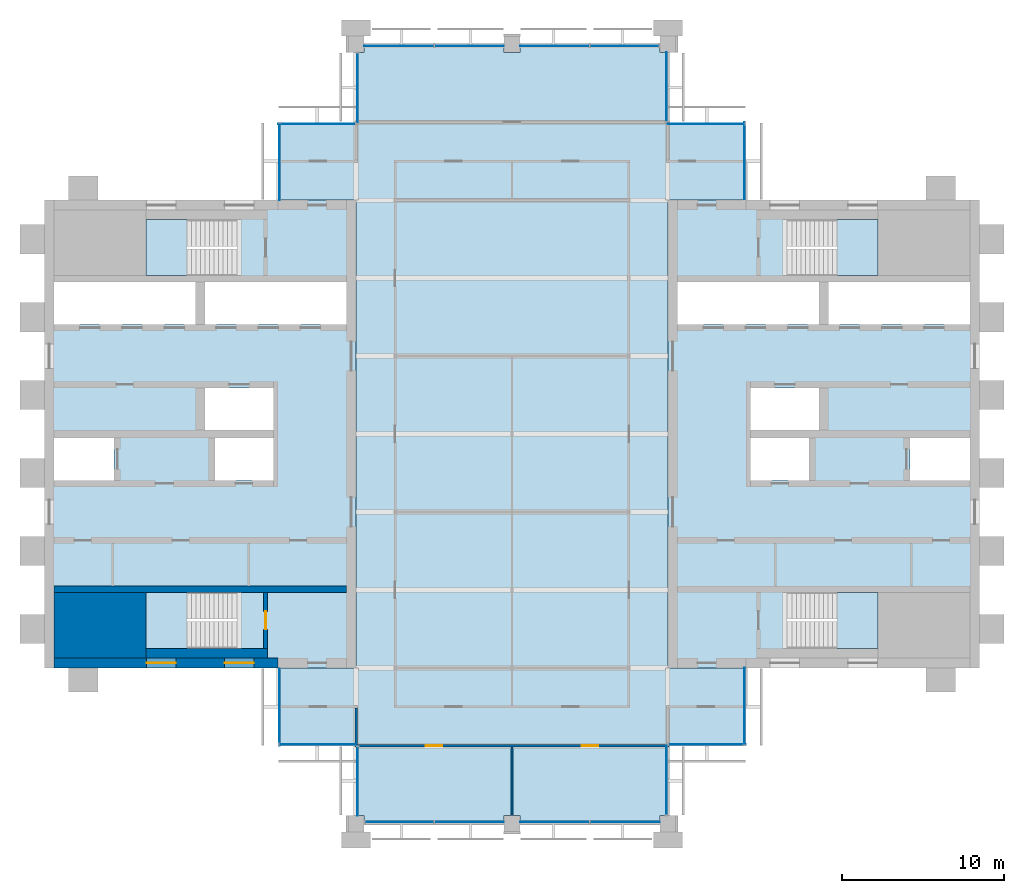
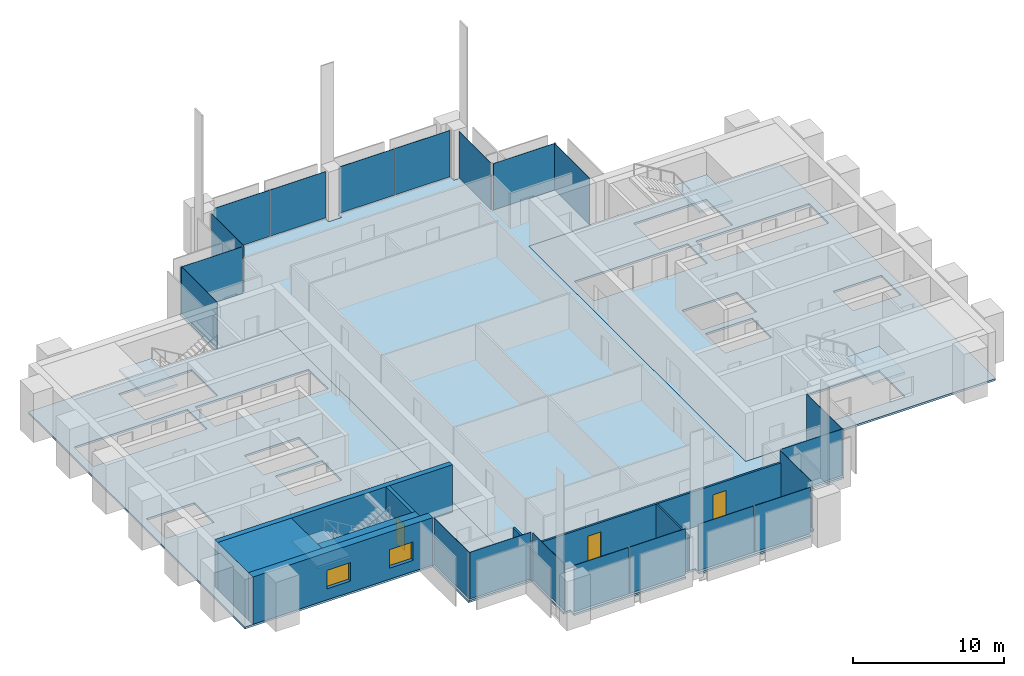
# One storey, part 7 of 13: 20 plates, 8 walls, 7 slabs, 3 doors, 2 windows, 5 openings, 18 elements without a shape of their own.
"""IFC4 building model written with IfcOpenShell, lengths in metres."""

from ifc_helpers import new_model, si_unit, direction, frame, frame_2d, origin, origin_2d, place, context, subcontext, project, spatial, polyline, rectangle, outline, extrude, material, layer, layer_set, type_object, element, fill, aggregate, save


model = new_model("IFC4")

# Units and contexts
model_context = context("Model", 3, precision=1e-05, world=origin(), true_north=direction((0.0, 1.0)))
body_context = subcontext(model_context, "Body", "Model", "MODEL_VIEW")
ifc_project = project(units=[si_unit("LENGTHUNIT", "METRE"), si_unit("AREAUNIT", "SQUARE_METRE"), si_unit("VOLUMEUNIT", "CUBIC_METRE"), si_unit("PLANEANGLEUNIT", "RADIAN"), si_unit("MASSUNIT", "GRAM", prefix="KILO")], contexts=[model_context])

# Site, building, storey
site_placement = place(None, origin())
site = spatial("IfcSite", under=ifc_project, at=site_placement, CompositionType="ELEMENT")
building_placement = place(site_placement, origin())
building = spatial("IfcBuilding", under=site, at=building_placement, Name="Baori Bourse Tower", CompositionType="ELEMENT")
storey_placement = place(building_placement, frame((0.0, 0.0, 294.300048828125)))
storey = spatial("IfcBuildingStorey", under=building, at=storey_placement, Name="L64", CompositionType="ELEMENT", Elevation=294.300048828125)

# Curtain wall, plate
ifc_material_1 = material(Name="Pale anodised aluminium", Category="aluminium")
curtain_wall_type_1 = type_object("IfcCurtainWallType", Name="CW2 Curtain wall", PredefinedType="NOTDEFINED", material=ifc_material_1)
curtain_wall_1_placement = place(storey_placement, origin())
curtain_wall_1 = element("IfcCurtainWall", 1, at=curtain_wall_1_placement, inside=storey, type_object=curtain_wall_type_1, Name="Curtain wall CW2 L64 1", PredefinedType="NOTDEFINED")
ifc_material_2 = material(Name="Clear glass", Category="glass")
ifc_layer_1 = layer(ifc_material_2, 0.030029296875)
ifc_layer_set_1 = layer_set([ifc_layer_1], Name="CW2 Curtain wall panel")
plate_type_1 = type_object("IfcPlateType", Name="CW2 Curtain wall panel", PredefinedType="CURTAIN_PANEL", material=ifc_layer_set_1)
plate_1_placement = place(storey_placement, frame((43.110107421875, 40.827392578125, 0.06982421875), z_axis=(0.0, 0.0, 1.0), x_axis=(0.0, 1.0, 0.0)))
plate_1 = element("IfcPlate", 2, at=plate_1_placement, type_object=plate_type_1, Name="Curtain wall CW2 panel", PredefinedType="CURTAIN_PANEL", context=body_context, shape_type="SweptSolid", body=[
    extrude(rectangle(XDim=4.7451171875, YDim=0.030029296875, at=origin_2d()), origin(), (0.0, 0.0, 1.0), 3.77001953125),
])
aggregate(curtain_wall_1, [plate_1])

curtain_wall_2_placement = place(storey_placement, origin())
curtain_wall_2 = element("IfcCurtainWall", 3, at=curtain_wall_2_placement, inside=storey, type_object=curtain_wall_type_1, Name="Curtain wall CW2 L64 2", PredefinedType="NOTDEFINED")
plate_2_placement = place(storey_placement, frame((40.7724609375, 43.110107421875, 0.06982421875), z_axis=(0.0, 0.0, 1.0), x_axis=(-1.0, 0.0, 0.0)))
plate_2 = element("IfcPlate", 4, at=plate_2_placement, type_object=plate_type_1, Name="Curtain wall CW2 panel", PredefinedType="CURTAIN_PANEL", context=body_context, shape_type="SweptSolid", body=[
    extrude(rectangle(XDim=4.7451171875, YDim=0.030029296875, at=origin_2d()), origin(), (0.0, 0.0, 1.0), 3.77001953125),
])
aggregate(curtain_wall_2, [plate_2])

curtain_wall_3_placement = place(storey_placement, origin())
curtain_wall_3 = element("IfcCurtainWall", 5, at=curtain_wall_3_placement, inside=storey, type_object=curtain_wall_type_1, Name="Curtain wall CW2 L64 3", PredefinedType="NOTDEFINED")
plate_3_placement = place(storey_placement, frame((38.31005859375, 45.37744140625, 0.06982421875), z_axis=(0.0, 0.0, 1.0), x_axis=(0.0, 1.0, 0.0)))
plate_3 = element("IfcPlate", 6, at=plate_3_placement, type_object=plate_type_1, Name="Curtain wall CW2 panel", PredefinedType="CURTAIN_PANEL", context=body_context, shape_type="SweptSolid", body=[
    extrude(rectangle(XDim=4.2451171875, YDim=0.030029296875, at=origin_2d()), origin(), (0.0, 0.0, 1.0), 3.77001953125),
])
aggregate(curtain_wall_3, [plate_3])

curtain_wall_4_placement = place(storey_placement, origin())
curtain_wall_4 = element("IfcCurtainWall", 7, at=curtain_wall_4_placement, inside=storey, type_object=curtain_wall_type_1, Name="Curtain wall CW2 L64 5", PredefinedType="NOTDEFINED")
plate_4_placement = place(storey_placement, frame((19.2900390625, 45.322509765625, 0.06982421875), z_axis=(0.0, 0.0, 1.0), x_axis=(0.0, -1.0, 0.0)))
plate_4 = element("IfcPlate", 8, at=plate_4_placement, type_object=plate_type_1, Name="Curtain wall CW2 panel", PredefinedType="CURTAIN_PANEL", context=body_context, shape_type="SweptSolid", body=[
    extrude(rectangle(XDim=4.2451171875, YDim=0.030029296875, at=origin_2d()), origin(), (0.0, 0.0, 1.0), 3.77001953125),
])
aggregate(curtain_wall_4, [plate_4])

curtain_wall_5_placement = place(storey_placement, origin())
curtain_wall_5 = element("IfcCurtainWall", 9, at=curtain_wall_5_placement, inside=storey, type_object=curtain_wall_type_1, Name="Curtain wall CW2 L64 6", PredefinedType="NOTDEFINED")
plate_5_placement = place(storey_placement, frame((16.7724609375, 43.110107421875, 0.06982421875), z_axis=(0.0, 0.0, 1.0), x_axis=(-1.0, 0.0, 0.0)))
plate_5 = element("IfcPlate", 10, at=plate_5_placement, type_object=plate_type_1, Name="Curtain wall CW2 panel", PredefinedType="CURTAIN_PANEL", context=body_context, shape_type="SweptSolid", body=[
    extrude(rectangle(XDim=4.7451171875, YDim=0.030029296875, at=origin_2d()), origin(), (0.0, 0.0, 1.0), 3.77001953125),
])
aggregate(curtain_wall_5, [plate_5])

curtain_wall_6_placement = place(storey_placement, origin())
curtain_wall_6 = element("IfcCurtainWall", 11, at=curtain_wall_6_placement, inside=storey, type_object=curtain_wall_type_1, Name="Curtain wall CW2 L64 7", PredefinedType="NOTDEFINED")
plate_6_placement = place(storey_placement, frame((14.489990234375, 40.7724609375, 0.06982421875), z_axis=(0.0, 0.0, 1.0), x_axis=(0.0, -1.0, 0.0)))
plate_6 = element("IfcPlate", 12, at=plate_6_placement, type_object=plate_type_1, Name="Curtain wall CW2 panel", PredefinedType="CURTAIN_PANEL", context=body_context, shape_type="SweptSolid", body=[
    extrude(rectangle(XDim=4.7451171875, YDim=0.030029296875, at=origin_2d()), origin(), (0.0, 0.0, 1.0), 3.77001953125),
])
aggregate(curtain_wall_6, [plate_6])

curtain_wall_7_placement = place(storey_placement, origin())
curtain_wall_7 = element("IfcCurtainWall", 13, at=curtain_wall_7_placement, inside=storey, type_object=curtain_wall_type_1, Name="Curtain wall CW2 L64 8", PredefinedType="NOTDEFINED")
plate_7_placement = place(storey_placement, frame((14.489990234375, 7.172607421875, 0.06982421875), z_axis=(0.0, 0.0, 1.0), x_axis=(0.0, -1.0, 0.0)))
plate_7 = element("IfcPlate", 14, at=plate_7_placement, type_object=plate_type_1, Name="Curtain wall CW2 panel", PredefinedType="CURTAIN_PANEL", context=body_context, shape_type="SweptSolid", body=[
    extrude(rectangle(XDim=4.7451171875, YDim=0.030029296875, at=origin_2d()), origin(), (0.0, 0.0, 1.0), 3.77001953125),
])
aggregate(curtain_wall_7, [plate_7])

curtain_wall_8_placement = place(storey_placement, origin())
curtain_wall_8 = element("IfcCurtainWall", 15, at=curtain_wall_8_placement, inside=storey, type_object=curtain_wall_type_1, Name="Curtain wall CW2 L64 9", PredefinedType="NOTDEFINED")
plate_8_placement = place(storey_placement, frame((16.827392578125, 4.889892578125, 0.06982421875), z_axis=(0.0, 0.0, 1.0), x_axis=(1.0, 0.0, 0.0)))
plate_8 = element("IfcPlate", 16, at=plate_8_placement, type_object=plate_type_1, Name="Curtain wall CW2 panel", PredefinedType="CURTAIN_PANEL", context=body_context, shape_type="SweptSolid", body=[
    extrude(rectangle(XDim=4.7451171875, YDim=0.030029296875, at=origin_2d()), origin(), (0.0, 0.0, 1.0), 3.77001953125),
])
aggregate(curtain_wall_8, [plate_8])

curtain_wall_9_placement = place(storey_placement, origin())
curtain_wall_9 = element("IfcCurtainWall", 17, at=curtain_wall_9_placement, inside=storey, type_object=curtain_wall_type_1, Name="Curtain wall CW2 L64 10", PredefinedType="NOTDEFINED")
plate_9_placement = place(storey_placement, frame((19.2900390625, 2.62255859375, 0.06982421875), z_axis=(0.0, 0.0, 1.0), x_axis=(0.0, -1.0, 0.0)))
plate_9 = element("IfcPlate", 18, at=plate_9_placement, type_object=plate_type_1, Name="Curtain wall CW2 panel", PredefinedType="CURTAIN_PANEL", context=body_context, shape_type="SweptSolid", body=[
    extrude(rectangle(XDim=4.2451171875, YDim=0.030029296875, at=origin_2d()), origin(), (0.0, 0.0, 1.0), 3.77001953125),
])
aggregate(curtain_wall_9, [plate_9])

curtain_wall_10_placement = place(storey_placement, origin())
curtain_wall_10 = element("IfcCurtainWall", 19, at=curtain_wall_10_placement, inside=storey, type_object=curtain_wall_type_1, Name="Curtain wall CW2 L64 12", PredefinedType="NOTDEFINED")
plate_10_placement = place(storey_placement, frame((38.31005859375, 2.677490234375, 0.06982421875), z_axis=(0.0, 0.0, 1.0), x_axis=(0.0, 1.0, 0.0)))
plate_10 = element("IfcPlate", 20, at=plate_10_placement, type_object=plate_type_1, Name="Curtain wall CW2 panel", PredefinedType="CURTAIN_PANEL", context=body_context, shape_type="SweptSolid", body=[
    extrude(rectangle(XDim=4.2451171875, YDim=0.030029296875, at=origin_2d()), origin(), (0.0, 0.0, 1.0), 3.77001953125),
])
aggregate(curtain_wall_10, [plate_10])

curtain_wall_11_placement = place(storey_placement, origin())
curtain_wall_11 = element("IfcCurtainWall", 21, at=curtain_wall_11_placement, inside=storey, type_object=curtain_wall_type_1, Name="Curtain wall CW2 L64 13", PredefinedType="NOTDEFINED")
plate_11_placement = place(storey_placement, frame((40.827392578125, 4.889892578125, 0.06982421875), z_axis=(0.0, 0.0, 1.0), x_axis=(1.0, 0.0, 0.0)))
plate_11 = element("IfcPlate", 22, at=plate_11_placement, type_object=plate_type_1, Name="Curtain wall CW2 panel", PredefinedType="CURTAIN_PANEL", context=body_context, shape_type="SweptSolid", body=[
    extrude(rectangle(XDim=4.7451171875, YDim=0.030029296875, at=origin_2d()), origin(), (0.0, 0.0, 1.0), 3.77001953125),
])
aggregate(curtain_wall_11, [plate_11])

curtain_wall_12_placement = place(storey_placement, origin())
curtain_wall_12 = element("IfcCurtainWall", 23, at=curtain_wall_12_placement, inside=storey, type_object=curtain_wall_type_1, Name="Curtain wall CW2 L64 14", PredefinedType="NOTDEFINED")
plate_12_placement = place(storey_placement, frame((43.110107421875, 7.2275390625, 0.06982421875), z_axis=(0.0, 0.0, 1.0), x_axis=(0.0, 1.0, 0.0)))
plate_12 = element("IfcPlate", 24, at=plate_12_placement, type_object=plate_type_1, Name="Curtain wall CW2 panel", PredefinedType="CURTAIN_PANEL", context=body_context, shape_type="SweptSolid", body=[
    extrude(rectangle(XDim=4.7451171875, YDim=0.030029296875, at=origin_2d()), origin(), (0.0, 0.0, 1.0), 3.77001953125),
])
aggregate(curtain_wall_12, [plate_12])

# Curtain wall, plates
ifc_material_3 = material(Name="Pale anodised aluminium", Category="aluminium")
curtain_wall_type_2 = type_object("IfcCurtainWallType", Name="CW5 Curtain wall", PredefinedType="NOTDEFINED", material=ifc_material_3)
curtain_wall_13_placement = place(storey_placement, origin())
curtain_wall_13 = element("IfcCurtainWall", 25, at=curtain_wall_13_placement, inside=storey, type_object=curtain_wall_type_2, Name="Curtain wall CW5 L64 4", PredefinedType="NOTDEFINED")
ifc_material_4 = material(Name="Clear glass", Category="glass")
ifc_layer_2 = layer(ifc_material_4, 0.035888671875)
ifc_layer_set_2 = layer_set([ifc_layer_2], Name="CW5 Curtain wall panel")
plate_type_2 = type_object("IfcPlateType", Name="CW5 Curtain wall panel", PredefinedType="CURTAIN_PANEL", material=ifc_layer_set_2)
plate_13_placement = place(storey_placement, frame((35.733642578125, 47.889892578125, 0.0849609375), z_axis=(0.0, 0.0, 1.0), x_axis=(-1.0, 0.0, 0.0)))
plate_13 = element("IfcPlate", 26, at=plate_13_placement, type_object=plate_type_2, Name="Curtain wall CW5 panel", PredefinedType="CURTAIN_PANEL", context=body_context, shape_type="SweptSolid", body=[
    extrude(rectangle(XDim=4.202392578125, YDim=0.035888671875, at=origin_2d()), origin(), (0.0, 0.0, 1.0), 3.7548828125),
])
plate_14_placement = place(storey_placement, frame((31.433837890625, 47.889892578125, 0.0849609375), z_axis=(0.0, 0.0, 1.0), x_axis=(-1.0, 0.0, 0.0)))
plate_14 = element("IfcPlate", 27, at=plate_14_placement, type_object=plate_type_2, Name="Curtain wall CW5 panel", PredefinedType="CURTAIN_PANEL", context=body_context, shape_type="SweptSolid", body=[
    extrude(rectangle(XDim=4.267578125, YDim=0.035888671875, at=origin_2d()), origin(), (0.0, 0.0, 1.0), 3.7548828125),
])
plate_15_placement = place(storey_placement, frame((26.166259765625, 47.889892578125, 0.0849609375), z_axis=(0.0, 0.0, 1.0), x_axis=(-1.0, 0.0, 0.0)))
plate_15 = element("IfcPlate", 28, at=plate_15_placement, type_object=plate_type_2, Name="Curtain wall CW5 panel", PredefinedType="CURTAIN_PANEL", context=body_context, shape_type="SweptSolid", body=[
    extrude(rectangle(XDim=4.267578125, YDim=0.035888671875, at=origin_2d()), origin(), (0.0, 0.0, 1.0), 3.7548828125),
])
plate_16_placement = place(storey_placement, frame((21.833740234375, 47.889892578125, 0.0849609375), z_axis=(0.0, 0.0, 1.0), x_axis=(-1.0, 0.0, 0.0)))
plate_16 = element("IfcPlate", 29, at=plate_16_placement, type_object=plate_type_2, Name="Curtain wall CW5 panel", PredefinedType="CURTAIN_PANEL", context=body_context, shape_type="SweptSolid", body=[
    extrude(rectangle(XDim=4.267578125, YDim=0.035888671875, at=origin_2d()), origin(), (0.0, 0.0, 1.0), 3.7548828125),
])
aggregate(curtain_wall_13, [plate_13, plate_14, plate_15, plate_16])

curtain_wall_14_placement = place(storey_placement, origin())
curtain_wall_14 = element("IfcCurtainWall", 30, at=curtain_wall_14_placement, inside=storey, type_object=curtain_wall_type_2, Name="Curtain wall CW5 L64 11", PredefinedType="NOTDEFINED")
plate_17_placement = place(storey_placement, frame((21.8662109375, 0.110107421875, 0.0849609375), z_axis=(0.0, 0.0, 1.0), x_axis=(1.0, 0.0, 0.0)))
plate_17 = element("IfcPlate", 31, at=plate_17_placement, type_object=plate_type_2, Name="Curtain wall CW5 panel", PredefinedType="CURTAIN_PANEL", context=body_context, shape_type="SweptSolid", body=[
    extrude(rectangle(XDim=4.202392578125, YDim=0.035888671875, at=origin_2d()), origin(), (0.0, 0.0, 1.0), 3.7548828125),
])
plate_18_placement = place(storey_placement, frame((26.166259765625, 0.110107421875, 0.0849609375), z_axis=(0.0, 0.0, 1.0), x_axis=(1.0, 0.0, 0.0)))
plate_18 = element("IfcPlate", 32, at=plate_18_placement, type_object=plate_type_2, Name="Curtain wall CW5 panel", PredefinedType="CURTAIN_PANEL", context=body_context, shape_type="SweptSolid", body=[
    extrude(rectangle(XDim=4.267578125, YDim=0.035888671875, at=origin_2d()), origin(), (0.0, 0.0, 1.0), 3.7548828125),
])
plate_19_placement = place(storey_placement, frame((31.433837890625, 0.110107421875, 0.0849609375), z_axis=(0.0, 0.0, 1.0), x_axis=(1.0, 0.0, 0.0)))
plate_19 = element("IfcPlate", 33, at=plate_19_placement, type_object=plate_type_2, Name="Curtain wall CW5 panel", PredefinedType="CURTAIN_PANEL", context=body_context, shape_type="SweptSolid", body=[
    extrude(rectangle(XDim=4.267578125, YDim=0.035888671875, at=origin_2d()), origin(), (0.0, 0.0, 1.0), 3.7548828125),
])
plate_20_placement = place(storey_placement, frame((35.766357421875, 0.110107421875, 0.0849609375), z_axis=(0.0, 0.0, 1.0), x_axis=(1.0, 0.0, 0.0)))
plate_20 = element("IfcPlate", 34, at=plate_20_placement, type_object=plate_type_2, Name="Curtain wall CW5 panel", PredefinedType="CURTAIN_PANEL", context=body_context, shape_type="SweptSolid", body=[
    extrude(rectangle(XDim=4.267578125, YDim=0.035888671875, at=origin_2d()), origin(), (0.0, 0.0, 1.0), 3.7548828125),
])
aggregate(curtain_wall_14, [plate_17, plate_18, plate_19, plate_20])

# Slabs
ifc_material_5 = material(Name="Concrete f'c 50 MPa", Category="concrete")
ifc_layer_3 = layer(ifc_material_5, 0.159912109375)
ifc_layer_set_3 = layer_set([ifc_layer_3], Name="Core slab 160")
slab_type_1 = type_object("IfcSlabType", Name="Core slab 160", PredefinedType="FLOOR", material=ifc_layer_set_3)
slab_1_placement = place(storey_placement, frame((0.0, 0.0, -0.16015625)))
element("IfcSlab", 35, at=slab_1_placement, inside=storey, type_object=slab_type_1, Name="Core floor slab W01", PredefinedType="FLOOR", context=body_context, shape_type="SweptSolid", body=[
    extrude(outline(polyline([(19.199951171875, 38.39990234375), (0.0, 38.39990234375), (0.0, 9.60009765625), (19.199951171875, 9.60009765625), (19.199951171875, 38.39990234375)]), holes=[polyline([(9.89990234375, 33.35009765625), (18.60009765625, 33.35009765625), (18.60009765625, 30.75), (9.89990234375, 30.75), (9.89990234375, 33.35009765625)]), polyline([(10.5, 21.14990234375), (10.5, 23.75), (14.10009765625, 23.75), (14.10009765625, 21.14990234375), (10.5, 21.14990234375)]), polyline([(14.10009765625, 24.25), (9.89990234375, 24.25), (9.89990234375, 26.85009765625), (14.10009765625, 26.85009765625), (14.10009765625, 24.25)]), polyline([(6.25, 14.25), (11.84912109375, 14.25), (11.84912109375, 10.800048828125), (6.25, 10.800048828125), (6.25, 14.25)]), polyline([(11.84912109375, 37.199951171875), (11.84912109375, 33.75), (6.25, 33.75), (6.25, 37.199951171875), (11.84912109375, 37.199951171875)]), polyline([(0.60009765625, 30.75), (0.60009765625, 33.35009765625), (9.300048828125, 33.35009765625), (9.300048828125, 30.75), (0.60009765625, 30.75)]), polyline([(4.300048828125, 23.75), (4.300048828125, 21.14990234375), (0.60009765625, 21.14990234375), (0.60009765625, 23.75), (4.300048828125, 23.75)])]), origin(), (0.0, 0.0, 1.0), 0.16015625),
])
slab_2_placement = place(storey_placement, frame((0.0, 0.0, -0.16015625)))
element("IfcSlab", 36, at=slab_2_placement, inside=storey, type_object=slab_type_1, Name="Core floor slab E01", PredefinedType="FLOOR", context=body_context, shape_type="SweptSolid", body=[
    extrude(outline(polyline([(57.60009765625, 9.60009765625), (57.60009765625, 38.39990234375), (38.39990234375, 38.39990234375), (38.39990234375, 9.60009765625), (57.60009765625, 9.60009765625)]), holes=[polyline([(48.300048828125, 33.35009765625), (57.0, 33.35009765625), (57.0, 30.75), (48.300048828125, 30.75), (48.300048828125, 33.35009765625)]), polyline([(57.0, 21.14990234375), (53.300048828125, 21.14990234375), (53.300048828125, 23.75), (57.0, 23.75), (57.0, 21.14990234375)]), polyline([(45.750732421875, 14.25), (51.35009765625, 14.25), (51.35009765625, 10.800048828125), (45.750732421875, 10.800048828125), (45.750732421875, 14.25)]), polyline([(51.35009765625, 37.199951171875), (51.35009765625, 33.75), (45.750732421875, 33.75), (45.750732421875, 37.199951171875), (51.35009765625, 37.199951171875)]), polyline([(43.5, 24.25), (43.5, 26.85009765625), (47.699951171875, 26.85009765625), (47.699951171875, 24.25), (43.5, 24.25)]), polyline([(47.699951171875, 33.35009765625), (47.699951171875, 30.75), (39.0, 30.75), (39.0, 33.35009765625), (47.699951171875, 33.35009765625)]), polyline([(43.5, 23.75), (47.10009765625, 23.75), (47.10009765625, 21.14990234375), (43.5, 21.14990234375), (43.5, 23.75)])]), origin(), (0.0, 0.0, 1.0), 0.16015625),
])

# Stair, slab
ifc_material_6 = material(Name="Concrete f'c 50 MPa", Category="concrete")
stair_type = type_object("IfcStairType", Name="Core stair", PredefinedType="HALF_TURN_STAIR", material=ifc_material_6)
stair_1_placement = place(storey_placement, origin())
stair_1 = element("IfcStair", 37, at=stair_1_placement, inside=storey, type_object=stair_type, Name="L64 Stair WA", PredefinedType="HALF_TURN_STAIR")
ifc_material_7 = material(Name="Concrete f'c 50 MPa", Category="concrete")
slab_type_2 = type_object("IfcSlabType", Name="Core stair landing", PredefinedType="LANDING", material=ifc_material_7)
slab_3_placement = place(storey_placement, frame((0.0, 0.0, 1.800048828125)))
slab_3 = element("IfcSlab", 38, at=slab_3_placement, type_object=slab_type_2, Name="ST1 landing 1", PredefinedType="LANDING", context=body_context, shape_type="SweptSolid", body=[
    extrude(outline(polyline([(8.77001953125, 14.25), (6.25, 14.25), (6.25, 10.800048828125), (8.77001953125, 10.800048828125), (8.77001953125, 14.25)])), origin(), (0.0, 0.0, 1.0), 0.199951171875),
])
aggregate(stair_1, [slab_3])

stair_2_placement = place(storey_placement, origin())
stair_2 = element("IfcStair", 39, at=stair_2_placement, inside=storey, type_object=stair_type, Name="L64 Stair WB", PredefinedType="HALF_TURN_STAIR")
slab_4_placement = place(storey_placement, frame((0.0, 0.0, 1.800048828125)))
slab_4 = element("IfcSlab", 40, at=slab_4_placement, type_object=slab_type_2, Name="ST2 landing 1", PredefinedType="LANDING", context=body_context, shape_type="SweptSolid", body=[
    extrude(outline(polyline([(8.77001953125, 37.199951171875), (6.25, 37.199951171875), (6.25, 33.75), (8.77001953125, 33.75), (8.77001953125, 37.199951171875)])), origin(), (0.0, 0.0, 1.0), 0.199951171875),
])
aggregate(stair_2, [slab_4])

stair_3_placement = place(storey_placement, origin())
stair_3 = element("IfcStair", 41, at=stair_3_placement, inside=storey, type_object=stair_type, Name="L64 Stair EA", PredefinedType="HALF_TURN_STAIR")
slab_5_placement = place(storey_placement, frame((0.0, 0.0, 1.800048828125)))
slab_5 = element("IfcSlab", 42, at=slab_5_placement, type_object=slab_type_2, Name="ST3 landing 1", PredefinedType="LANDING", context=body_context, shape_type="SweptSolid", body=[
    extrude(outline(polyline([(48.830078125, 10.800048828125), (51.35009765625, 10.800048828125), (51.35009765625, 14.25), (48.830078125, 14.25), (48.830078125, 10.800048828125)])), origin(), (0.0, 0.0, 1.0), 0.199951171875),
])
aggregate(stair_3, [slab_5])

stair_4_placement = place(storey_placement, origin())
stair_4 = element("IfcStair", 43, at=stair_4_placement, inside=storey, type_object=stair_type, Name="L64 Stair EB", PredefinedType="HALF_TURN_STAIR")
slab_6_placement = place(storey_placement, frame((0.0, 0.0, 1.800048828125)))
slab_6 = element("IfcSlab", 44, at=slab_6_placement, type_object=slab_type_2, Name="ST4 landing 1", PredefinedType="LANDING", context=body_context, shape_type="SweptSolid", body=[
    extrude(outline(polyline([(48.830078125, 33.75), (51.35009765625, 33.75), (51.35009765625, 37.199951171875), (48.830078125, 37.199951171875), (48.830078125, 33.75)])), origin(), (0.0, 0.0, 1.0), 0.199951171875),
])
aggregate(stair_4, [slab_6])

# Slab
ifc_material_8 = material(Name="Concrete f'c 40 MPa", Category="concrete")
ifc_layer_4 = layer(ifc_material_8, 0.159912109375)
ifc_layer_set_4 = layer_set([ifc_layer_4], Name="Floor slab 160")
slab_type_3 = type_object("IfcSlabType", Name="Floor slab 160", PredefinedType="FLOOR", material=ifc_layer_set_4)
slab_7_placement = place(storey_placement, frame((0.0, 0.0, -0.16015625)))
element("IfcSlab", 45, at=slab_7_placement, inside=storey, type_object=slab_type_3, Name="Floor slab L64", PredefinedType="FLOOR", context=body_context, shape_type="SweptSolid", body=[
    extrude(outline(polyline([(19.199951171875, 4.800048828125), (14.39990234375, 4.800048828125), (14.39990234375, 9.60009765625), (19.199951171875, 9.60009765625), (19.199951171875, 38.39990234375), (14.39990234375, 38.39990234375), (14.39990234375, 43.199951171875), (19.199951171875, 43.199951171875), (19.199951171875, 47.5), (19.699951171875, 47.5), (19.699951171875, 48.0), (28.300048828125, 48.0), (28.300048828125, 47.5), (29.300048828125, 47.5), (29.300048828125, 48.0), (37.89990234375, 48.0), (37.89990234375, 47.5), (38.39990234375, 47.5), (38.39990234375, 43.199951171875), (43.199951171875, 43.199951171875), (43.199951171875, 38.39990234375), (38.39990234375, 38.39990234375), (38.39990234375, 9.60009765625), (43.199951171875, 9.60009765625), (43.199951171875, 4.800048828125), (38.39990234375, 4.800048828125), (38.39990234375, 0.5), (37.89990234375, 0.5), (37.89990234375, 0.0), (29.300048828125, 0.0), (29.300048828125, 0.5), (28.300048828125, 0.5), (28.300048828125, 0.0), (19.699951171875, 0.0), (19.699951171875, 0.5), (19.199951171875, 0.5), (19.199951171875, 4.800048828125)])), origin(), (0.0, 0.0, 1.0), 0.16015625),
])

# Wall
ifc_material_9 = material(Name="Concrete f'c 40 MPa", Category="concrete")
wall_type_1 = type_object("IfcWallType", Name="Core corner block f'c 40", PredefinedType="SHEAR", material=ifc_material_9)
wall_1_placement = place(storey_placement, frame((0.60009765625, 12.22509765625, 0.0), z_axis=(0.0, 0.0, 1.0), x_axis=(1.0, 0.0, 0.0)))
element("IfcWall", 46, at=wall_1_placement, inside=storey, type_object=wall_type_1, Name="Core wall W05", PredefinedType="SHEAR", context=body_context, shape_type="SweptSolid", body=[
    extrude(rectangle(XDim=5.64990234375, YDim=4.050048828125, at=frame_2d((2.824951171875, 0.0))), origin(), (0.0, 0.0, 1.0), 3.83984375),
])

# Wall, openings, windows
ifc_material_10 = material(Name="Concrete f'c 40 MPa", Category="concrete")
ifc_layer_5 = layer(ifc_material_10, 0.60009765625)
ifc_layer_set_5 = layer_set([ifc_layer_5], Name="Core wall 600 f'c 40")
wall_type_2 = type_object("IfcWallType", Name="Core wall 600 f'c 40", PredefinedType="SHEAR", material=ifc_layer_set_5)
wall_2_placement = place(storey_placement, frame((14.39990234375, 9.89990234375, 0.0), z_axis=(0.0, 0.0, 1.0), x_axis=(-1.0, 0.0, 0.0)))
wall_2 = element("IfcWall", 47, at=wall_2_placement, inside=storey, type_object=wall_type_2, Name="Core wall W02", PredefinedType="SHEAR", context=body_context, shape_type="SweptSolid", body=[
    extrude(rectangle(XDim=13.7998046875, YDim=0.60009765625, at=frame_2d((6.89990234375, 0.0))), origin(), (0.0, 0.0, 1.0), 3.83984375),
])
opening_1_placement = place(wall_2_placement, frame((6.300048828125, 0.0, 0.89990234375)))
opening_1 = element("IfcOpeningElement", 48, at=opening_1_placement, cuts=wall_2, Name="Opening L64-KW103", PredefinedType="OPENING", context=body_context, shape_type="SweptSolid", body=[
    extrude(rectangle(XDim=1.800048828125, YDim=1.5, at=frame_2d((0.89990234375, 0.75))), frame((0.0, 0.31005859375, 0.0), z_axis=(0.0, -1.0, 0.0), x_axis=(1.0, 0.0, 0.0)), (0.0, 0.0, 1.0), 0.6201171875),
])
opening_2_placement = place(wall_2_placement, frame((1.5, 0.0, 0.89990234375)))
opening_2 = element("IfcOpeningElement", 49, at=opening_2_placement, cuts=wall_2, Name="Opening L64-KW104", PredefinedType="OPENING", context=body_context, shape_type="SweptSolid", body=[
    extrude(rectangle(XDim=1.800048828125, YDim=1.5, at=frame_2d((0.89990234375, 0.75))), frame((0.0, 0.31005859375, 0.0), z_axis=(0.0, -1.0, 0.0), x_axis=(1.0, 0.0, 0.0)), (0.0, 0.0, 1.0), 0.6201171875),
])
ifc_material_11 = material(Name="Pale anodised aluminium", Category="aluminium")
window_type = type_object("IfcWindowType", Name="Stair window 1800 x 1500", PartitioningType="SINGLE_PANEL", PredefinedType="WINDOW", material=ifc_material_11)
window_1_placement = place(opening_1_placement, origin())
window_1 = element("IfcWindow", 50, at=window_1_placement, inside=storey, type_object=window_type, Name="Stair window W L64 3", OverallHeight=1.5, OverallWidth=1.800048828125, PartitioningType="SINGLE_PANEL", PredefinedType="WINDOW", context=body_context, shape_type="SweptSolid", body=[
    extrude(rectangle(XDim=1.800048828125, YDim=1.5, at=frame_2d((0.89990234375, 0.75))), frame((0.0, 0.030029296875, 0.0), z_axis=(0.0, -1.0, 0.0), x_axis=(1.0, 0.0, 0.0)), (0.0, 0.0, 1.0), 0.06005859375),
])
fill(opening_1, window_1)
window_2_placement = place(opening_2_placement, origin())
window_2 = element("IfcWindow", 51, at=window_2_placement, inside=storey, type_object=window_type, Name="Stair window W L64 4", OverallHeight=1.5, OverallWidth=1.800048828125, PartitioningType="SINGLE_PANEL", PredefinedType="WINDOW", context=body_context, shape_type="SweptSolid", body=[
    extrude(rectangle(XDim=1.800048828125, YDim=1.5, at=frame_2d((0.89990234375, 0.75))), frame((0.0, 0.030029296875, 0.0), z_axis=(0.0, -1.0, 0.0), x_axis=(1.0, 0.0, 0.0)), (0.0, 0.0, 1.0), 0.06005859375),
])
fill(opening_2, window_2)

# Wall, openings, doors
ifc_material_12 = material(Name="Gypsum board partition")
ifc_layer_6 = layer(ifc_material_12, 0.14990234375)
ifc_layer_set_6 = layer_set([ifc_layer_6], Name="Corridor partition 150")
wall_type_3 = type_object("IfcWallType", Name="Corridor partition 150", PredefinedType="PARTITIONING", material=ifc_layer_set_6)
wall_3_placement = place(storey_placement, frame((19.125, 4.800048828125, 0.0), z_axis=(0.0, 0.0, 1.0), x_axis=(1.0, 0.0, 0.0)))
wall_3 = element("IfcWall", 52, at=wall_3_placement, inside=storey, type_object=wall_type_3, Name="Partition", PredefinedType="PARTITIONING", context=body_context, shape_type="SweptSolid", body=[
    extrude(rectangle(XDim=19.35009765625, YDim=0.14990234375, at=frame_2d((9.675048828125, 0.0))), origin(), (0.0, 0.0, 1.0), 2.86962890625),
])
opening_3_placement = place(wall_3_placement, frame((4.375, 0.0, 0.0)))
opening_3 = element("IfcOpeningElement", 53, at=opening_3_placement, cuts=wall_3, Name="Opening L64-D01", PredefinedType="OPENING", context=body_context, shape_type="SweptSolid", body=[
    extrude(rectangle(XDim=1.0, YDim=2.10009765625, at=frame_2d((0.5, 1.050048828125))), frame((0.0, 0.0849609375, 0.0), z_axis=(0.0, -1.0, 0.0), x_axis=(1.0, 0.0, 0.0)), (0.0, 0.0, 1.0), 0.169921875),
])
opening_4_placement = place(wall_3_placement, frame((13.97509765625, 0.0, 0.0)))
opening_4 = element("IfcOpeningElement", 54, at=opening_4_placement, cuts=wall_3, Name="Opening L64-D02", PredefinedType="OPENING", context=body_context, shape_type="SweptSolid", body=[
    extrude(rectangle(XDim=1.0, YDim=2.10009765625, at=frame_2d((0.5, 1.050048828125))), frame((0.0, 0.0849609375, 0.0), z_axis=(0.0, -1.0, 0.0), x_axis=(1.0, 0.0, 0.0)), (0.0, 0.0, 1.0), 0.169921875),
])
ifc_material_13 = material(Name="Timber door leaf", Category="wood")
door_type_1 = type_object("IfcDoorType", Name="Door 1000 x 2100", OperationType="SINGLE_SWING_LEFT", PredefinedType="DOOR", material=ifc_material_13)
door_1_placement = place(opening_3_placement, origin())
door_1 = element("IfcDoor", 55, at=door_1_placement, inside=storey, type_object=door_type_1, Name="Door", OperationType="SINGLE_SWING_LEFT", OverallHeight=2.10009765625, OverallWidth=1.0, PredefinedType="DOOR", context=body_context, shape_type="SweptSolid", body=[
    extrude(rectangle(XDim=1.0, YDim=2.10009765625, at=frame_2d((0.5, 1.050048828125))), frame((0.0, 0.02490234375, 0.0), z_axis=(0.0, -1.0, 0.0), x_axis=(1.0, 0.0, 0.0)), (0.0, 0.0, 1.0), 0.050048828125),
])
fill(opening_3, door_1)
door_2_placement = place(opening_4_placement, origin())
door_2 = element("IfcDoor", 56, at=door_2_placement, inside=storey, type_object=door_type_1, Name="Door", OperationType="SINGLE_SWING_RIGHT", OverallHeight=2.10009765625, OverallWidth=1.0, PredefinedType="DOOR", context=body_context, shape_type="SweptSolid", body=[
    extrude(rectangle(XDim=1.0, YDim=2.10009765625, at=frame_2d((0.5, 1.050048828125))), frame((0.0, 0.02490234375, 0.0), z_axis=(0.0, -1.0, 0.0), x_axis=(1.0, 0.0, 0.0)), (0.0, 0.0, 1.0), 0.050048828125),
])
fill(opening_4, door_2)

# Walls
wall_4_placement = place(storey_placement, frame((19.199951171875, 4.875, 0.0), z_axis=(0.0, 0.0, 1.0), x_axis=(0.0, 1.0, 0.0)))
element("IfcWall", 57, at=wall_4_placement, inside=storey, type_object=wall_type_3, Name="Partition", PredefinedType="PARTITIONING", context=body_context, shape_type="SweptSolid", body=[
    extrude(rectangle(XDim=2.25, YDim=0.14990234375, at=frame_2d((1.125, 0.0))), origin(), (0.0, 0.0, 1.0), 2.86962890625),
])
ifc_material_14 = material(Name="Gypsum board partition")
ifc_layer_7 = layer(ifc_material_14, 0.125)
ifc_layer_set_7 = layer_set([ifc_layer_7], Name="Partition 125")
wall_type_4 = type_object("IfcWallType", Name="Partition 125", PredefinedType="PARTITIONING", material=ifc_layer_set_7)
wall_5_placement = place(storey_placement, frame((28.800048828125, 0.5, 0.0), z_axis=(0.0, 0.0, 1.0), x_axis=(0.0, 1.0, 0.0)))
element("IfcWall", 58, at=wall_5_placement, inside=storey, type_object=wall_type_4, Name="Partition", PredefinedType="PARTITIONING", context=body_context, shape_type="SweptSolid", body=[
    extrude(rectangle(XDim=4.22509765625, YDim=0.125, at=frame_2d((2.112548828125, 0.0))), origin(), (0.0, 0.0, 1.0), 2.86962890625),
])

# Wall, opening, door
ifc_material_15 = material(Name="Concrete f'c 40 MPa", Category="concrete")
ifc_layer_8 = layer(ifc_material_15, 0.25)
ifc_layer_set_8 = layer_set([ifc_layer_8], Name="Shaft wall 250 f'c 40")
wall_type_5 = type_object("IfcWallType", Name="Shaft wall 250 f'c 40", PredefinedType="SHEAR", material=ifc_layer_set_8)
wall_6_placement = place(storey_placement, frame((13.625, 10.800048828125, 0.0), z_axis=(0.0, 0.0, 1.0), x_axis=(0.0, 1.0, 0.0)))
wall_6 = element("IfcWall", 59, at=wall_6_placement, inside=storey, type_object=wall_type_5, Name="Core wall W07", PredefinedType="SHEAR", context=body_context, shape_type="SweptSolid", body=[
    extrude(rectangle(XDim=3.449951171875, YDim=0.25, at=frame_2d((1.72509765625, 0.0))), origin(), (0.0, 0.0, 1.0), 3.83984375),
])
opening_5_placement = place(wall_6_placement, frame((1.175048828125, 0.0, 0.0)))
opening_5 = element("IfcOpeningElement", 60, at=opening_5_placement, cuts=wall_6, Name="Opening L64-D101", PredefinedType="OPENING", context=body_context, shape_type="SweptSolid", body=[
    extrude(rectangle(XDim=1.10009765625, YDim=2.10009765625, at=frame_2d((0.550048828125, 1.050048828125))), frame((0.0, 0.135009765625, 0.0), z_axis=(0.0, -1.0, 0.0), x_axis=(1.0, 0.0, 0.0)), (0.0, 0.0, 1.0), 0.27001953125),
])
ifc_material_16 = material(Name="Painted steel door", Category="steel")
door_type_2 = type_object("IfcDoorType", Name="Stair door 1100", OperationType="SINGLE_SWING_LEFT", PredefinedType="DOOR", material=ifc_material_16)
door_3_placement = place(opening_5_placement, origin())
door_3 = element("IfcDoor", 61, at=door_3_placement, inside=storey, type_object=door_type_2, Name="Stair door A W L64", OperationType="SINGLE_SWING_LEFT", OverallHeight=2.10009765625, OverallWidth=1.10009765625, PredefinedType="DOOR", context=body_context, shape_type="SweptSolid", body=[
    extrude(rectangle(XDim=1.10009765625, YDim=2.10009765625, at=frame_2d((0.550048828125, 1.050048828125))), frame((0.0, 0.02490234375, 0.0), z_axis=(0.0, -1.0, 0.0), x_axis=(1.0, 0.0, 0.0)), (0.0, 0.0, 1.0), 0.050048828125),
])
fill(opening_5, door_3)

# Walls
ifc_material_17 = material(Name="Concrete f'c 40 MPa", Category="concrete")
ifc_layer_9 = layer(ifc_material_17, 0.39990234375)
ifc_layer_set_9 = layer_set([ifc_layer_9], Name="Shaft wall 400 f'c 40")
wall_type_6 = type_object("IfcWallType", Name="Shaft wall 400 f'c 40", PredefinedType="SHEAR", material=ifc_layer_set_9)
wall_7_placement = place(storey_placement, frame((0.60009765625, 14.449951171875, 0.0), z_axis=(0.0, 0.0, 1.0), x_axis=(1.0, 0.0, 0.0)))
element("IfcWall", 62, at=wall_7_placement, inside=storey, type_object=wall_type_6, Name="Core wall W08", PredefinedType="SHEAR", context=body_context, shape_type="SweptSolid", body=[
    extrude(rectangle(XDim=18.0, YDim=0.39990234375, at=frame_2d((9.0, 0.0))), origin(), (0.0, 0.0, 1.0), 3.83984375),
])
ifc_material_18 = material(Name="Concrete f'c 40 MPa", Category="concrete")
ifc_layer_10 = layer(ifc_material_18, 0.60009765625)
ifc_layer_set_10 = layer_set([ifc_layer_10], Name="Shaft wall 600 f'c 40")
wall_type_7 = type_object("IfcWallType", Name="Shaft wall 600 f'c 40", PredefinedType="SHEAR", material=ifc_layer_set_10)
wall_8_placement = place(storey_placement, frame((6.25, 10.5, 0.0), z_axis=(0.0, 0.0, 1.0), x_axis=(1.0, 0.0, 0.0)))
element("IfcWall", 63, at=wall_8_placement, inside=storey, type_object=wall_type_7, Name="Core wall W06", PredefinedType="SHEAR", context=body_context, shape_type="SweptSolid", body=[
    extrude(rectangle(XDim=7.5, YDim=0.60009765625, at=frame_2d((3.75, 0.0))), origin(), (0.0, 0.0, 1.0), 3.83984375),
])

save(model, "model.ifc")
